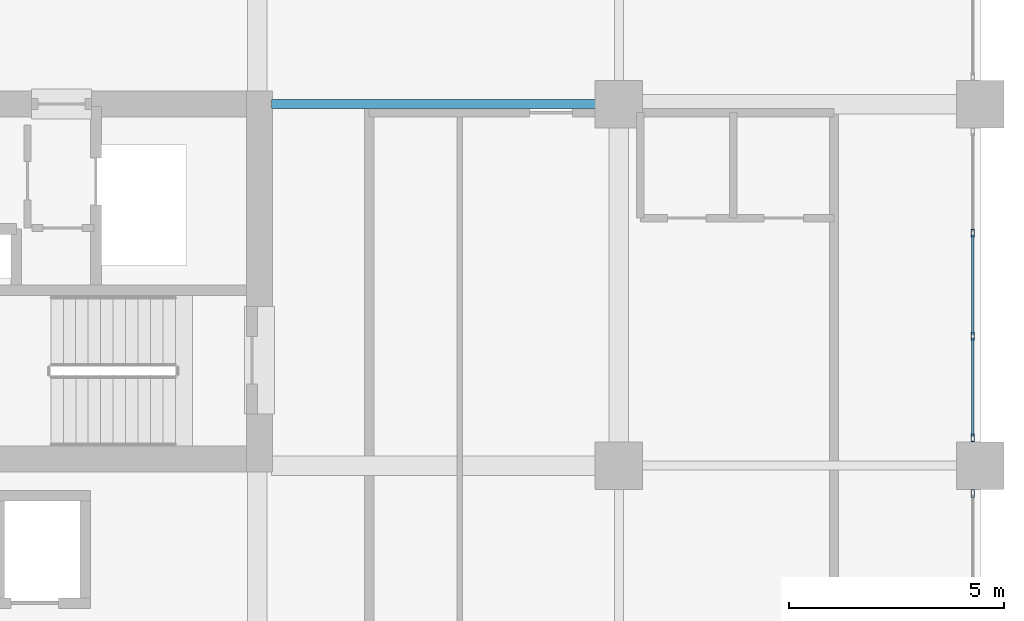
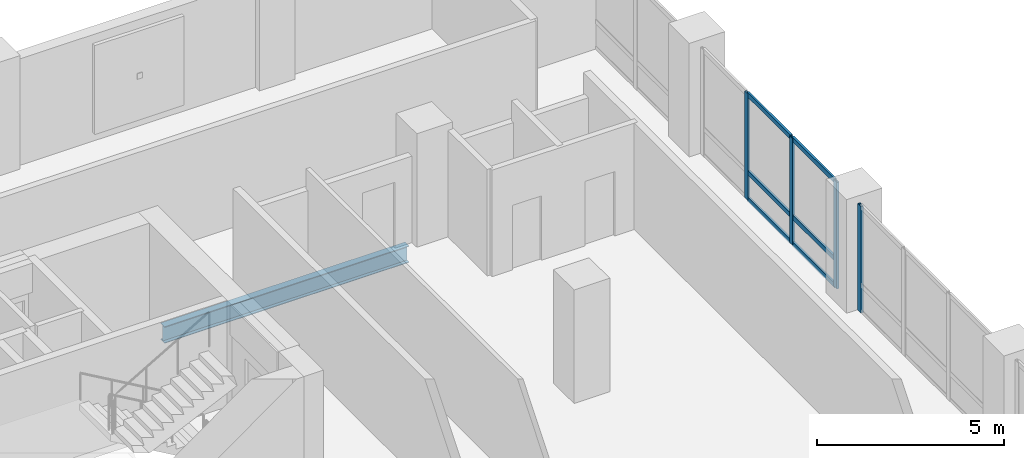
# One storey, part 6 of 20: 10 members, 1 beam, 2 elements without a shape of their own.
"""IFC4 building model written with IfcOpenShell, lengths in metres."""

from ifc_helpers import new_model, si_unit, direction, frame, origin, origin_2d, place, context, subcontext, project, spatial, hollow_rectangle, i_section, extrude, material, layer, layer_set, material_profile, profile_set, type_object, element, aggregate, save


model = new_model("IFC4")

# Units and contexts
model_context = context("Model", 3, precision=1e-05, world=origin(), true_north=direction((0.0, 1.0)))
body_context = subcontext(model_context, "Body", "Model", "MODEL_VIEW")
ifc_project = project(units=[si_unit("LENGTHUNIT", "METRE"), si_unit("AREAUNIT", "SQUARE_METRE"), si_unit("VOLUMEUNIT", "CUBIC_METRE"), si_unit("PLANEANGLEUNIT", "RADIAN"), si_unit("MASSUNIT", "GRAM", prefix="KILO")], contexts=[model_context])

# Site, building, storey
site_placement = place(None, origin())
site = spatial("IfcSite", under=ifc_project, at=site_placement, CompositionType="ELEMENT")
building_placement = place(site_placement, origin())
building = spatial("IfcBuilding", under=site, at=building_placement, Name="Koriwani Terraces Tower", CompositionType="ELEMENT")
storey_placement = place(building_placement, frame((0.0, 0.0, 212.39990234375)))
storey = spatial("IfcBuildingStorey", under=building, at=storey_placement, Name="L52", CompositionType="ELEMENT", Elevation=212.39990234375)

# Curtain wall, members
ifc_material_1 = material(Name="Anodised Bronze Aluminium", Category="aluminium")
ifc_layer = layer(ifc_material_1, 0.169921875, Name="Anodised Bronze Aluminium")
ifc_layer_set = layer_set([ifc_layer], Name="Anodised Bronze Aluminium")
curtain_wall_type = type_object("IfcCurtainWallType", Name="CW_RES_ZONE3", PredefinedType="NOTDEFINED", material=ifc_layer_set)
curtain_wall_1_placement = place(storey_placement, origin())
curtain_wall_1 = element("IfcCurtainWall", 1, at=curtain_wall_1_placement, inside=storey, type_object=curtain_wall_type, Name="L52 Unitised Curtain Wall (E_TIP) Bay 2", PredefinedType="NOTDEFINED")
ifc_material_profile_1 = material_profile(ifc_material_1, hollow_rectangle(XDim=0.074951171875, YDim=0.179931640625, WallThickness=0.006103515625, at=origin_2d()), Name="Anodised Bronze Aluminium", Category="LoadBearing")
ifc_profile_set_1 = profile_set([ifc_material_profile_1], Name="Anodised Bronze Aluminium")
member_type_1 = type_object("IfcMemberType", Name="CW_MULLION_180X75", PredefinedType="MULLION", material=ifc_profile_set_1)
member_1_placement = place(storey_placement, frame((75.425048828125, 22.19677734375, 0.0), z_axis=(0.0, 0.0, 1.0), x_axis=(1.0, 0.0, 0.0)))
member_1 = element("IfcMember", 2, at=member_1_placement, type_object=member_type_1, Name="CW-Z3 mullion 2", PredefinedType="MULLION", context=body_context, shape_type="SweptSolid", body=[
    extrude(hollow_rectangle(XDim=0.074951171875, YDim=0.179931640625, WallThickness=0.006103515625, at=origin_2d()), origin(), (0.0, 0.0, 1.0), 3.47021484375),
])
member_2_placement = place(storey_placement, frame((75.425048828125, 19.80322265625, 0.0), z_axis=(0.0, 0.0, 1.0), x_axis=(1.0, 0.0, 0.0)))
member_2 = element("IfcMember", 3, at=member_2_placement, type_object=member_type_1, Name="CW-Z3 mullion 3", PredefinedType="MULLION", context=body_context, shape_type="SweptSolid", body=[
    extrude(hollow_rectangle(XDim=0.074951171875, YDim=0.179931640625, WallThickness=0.006103515625, at=origin_2d()), origin(), (0.0, 0.0, 1.0), 3.47021484375),
])
member_3_placement = place(storey_placement, frame((75.425048828125, 17.447509765625, 0.0), z_axis=(0.0, 0.0, 1.0), x_axis=(1.0, 0.0, 0.0)))
member_3 = element("IfcMember", 4, at=member_3_placement, type_object=member_type_1, Name="CW-Z3 mullion 4", PredefinedType="MULLION", context=body_context, shape_type="SweptSolid", body=[
    extrude(hollow_rectangle(XDim=0.074951171875, YDim=0.179931640625, WallThickness=0.006103515625, at=origin_2d()), origin(), (0.0, 0.0, 1.0), 3.47021484375),
])

# Curtain wall, member
curtain_wall_2_placement = place(storey_placement, origin())
curtain_wall_2 = element("IfcCurtainWall", 5, at=curtain_wall_2_placement, inside=storey, type_object=curtain_wall_type, Name="L52 Unitised Curtain Wall (E_TIP) Bay 3", PredefinedType="NOTDEFINED")
member_4_placement = place(storey_placement, frame((75.425048828125, 16.152587890625, 0.0), z_axis=(0.0, 0.0, 1.0), x_axis=(1.0, 0.0, 0.0)))
member_4 = element("IfcMember", 6, at=member_4_placement, type_object=member_type_1, Name="CW-Z3 mullion 1", PredefinedType="MULLION", context=body_context, shape_type="SweptSolid", body=[
    extrude(hollow_rectangle(XDim=0.074951171875, YDim=0.179931640625, WallThickness=0.006103515625, at=origin_2d()), origin(), (0.0, 0.0, 1.0), 3.47021484375),
])
aggregate(curtain_wall_2, [member_4])

# Member
ifc_material_profile_2 = material_profile(ifc_material_1, hollow_rectangle(XDim=0.06494140625, YDim=0.14990234375, WallThickness=0.0048828125, at=origin_2d()), Name="Anodised Bronze Aluminium", Category="LoadBearing")
ifc_profile_set_2 = profile_set([ifc_material_profile_2], Name="Anodised Bronze Aluminium")
member_type_2 = type_object("IfcMemberType", Name="CW_TRANSOM_150X65", PredefinedType="USERDEFINED", material=ifc_profile_set_2)
member_5_placement = place(storey_placement, frame((75.425048828125, 22.1591796875, 0.03271484375), z_axis=(0.0, -1.0, 0.0), x_axis=(1.0, 0.0, 0.0)))
member_5 = element("IfcMember", 7, at=member_5_placement, type_object=member_type_2, Name="CW-Z3 transom 2.1", ObjectType="TRANSOM", PredefinedType="USERDEFINED", context=body_context, shape_type="SweptSolid", body=[
    extrude(hollow_rectangle(XDim=0.06494140625, YDim=0.14990234375, WallThickness=0.0048828125, at=origin_2d()), origin(), (0.0, 0.0, 1.0), 2.318359375),
])

member_6_placement = place(storey_placement, frame((75.425048828125, 22.1591796875, 0.900146484375), z_axis=(0.0, -1.0, 0.0), x_axis=(1.0, 0.0, 0.0)))
member_6 = element("IfcMember", 8, at=member_6_placement, type_object=member_type_2, Name="CW-Z3 transom 2.2", ObjectType="TRANSOM", PredefinedType="USERDEFINED", context=body_context, shape_type="SweptSolid", body=[
    extrude(hollow_rectangle(XDim=0.06494140625, YDim=0.14990234375, WallThickness=0.0048828125, at=origin_2d()), origin(), (0.0, 0.0, 1.0), 2.318359375),
])

member_7_placement = place(storey_placement, frame((75.425048828125, 22.1591796875, 3.4375), z_axis=(0.0, -1.0, 0.0), x_axis=(1.0, 0.0, 0.0)))
member_7 = element("IfcMember", 9, at=member_7_placement, type_object=member_type_2, Name="CW-Z3 transom 2.3", ObjectType="TRANSOM", PredefinedType="USERDEFINED", context=body_context, shape_type="SweptSolid", body=[
    extrude(hollow_rectangle(XDim=0.06494140625, YDim=0.14990234375, WallThickness=0.0048828125, at=origin_2d()), origin(), (0.0, 0.0, 1.0), 2.318359375),
])

member_8_placement = place(storey_placement, frame((75.425048828125, 19.765869140625, 0.03271484375), z_axis=(0.0, -1.0, 0.0), x_axis=(1.0, 0.0, 0.0)))
member_8 = element("IfcMember", 10, at=member_8_placement, type_object=member_type_2, Name="CW-Z3 transom 3.1", ObjectType="TRANSOM", PredefinedType="USERDEFINED", context=body_context, shape_type="SweptSolid", body=[
    extrude(hollow_rectangle(XDim=0.06494140625, YDim=0.14990234375, WallThickness=0.0048828125, at=origin_2d()), origin(), (0.0, 0.0, 1.0), 2.28076171875),
])

member_9_placement = place(storey_placement, frame((75.425048828125, 19.765869140625, 0.900146484375), z_axis=(0.0, -1.0, 0.0), x_axis=(1.0, 0.0, 0.0)))
member_9 = element("IfcMember", 11, at=member_9_placement, type_object=member_type_2, Name="CW-Z3 transom 3.2", ObjectType="TRANSOM", PredefinedType="USERDEFINED", context=body_context, shape_type="SweptSolid", body=[
    extrude(hollow_rectangle(XDim=0.06494140625, YDim=0.14990234375, WallThickness=0.0048828125, at=origin_2d()), origin(), (0.0, 0.0, 1.0), 2.28076171875),
])

member_10_placement = place(storey_placement, frame((75.425048828125, 19.765869140625, 3.4375), z_axis=(0.0, -1.0, 0.0), x_axis=(1.0, 0.0, 0.0)))
member_10 = element("IfcMember", 12, at=member_10_placement, type_object=member_type_2, Name="CW-Z3 transom 3.3", ObjectType="TRANSOM", PredefinedType="USERDEFINED", context=body_context, shape_type="SweptSolid", body=[
    extrude(hollow_rectangle(XDim=0.06494140625, YDim=0.14990234375, WallThickness=0.0048828125, at=origin_2d()), origin(), (0.0, 0.0, 1.0), 2.28076171875),
])

aggregate(curtain_wall_1, [member_1, member_2, member_3, member_5, member_6, member_7, member_8, member_9, member_10])

# Beam
ifc_material_2 = material(Name="Steel ASTM A572 Grade 50", Category="steel")
ifc_material_profile_3 = material_profile(ifc_material_2, i_section(OverallWidth=0.2119140625, OverallDepth=0.54296875, WebThickness=0.0126953125, FlangeThickness=0.021240234375, at=origin_2d()), Name="Steel ASTM A572 Grade 50", Category="LoadBearing")
ifc_profile_set_3 = profile_set([ifc_material_profile_3], Name="Steel ASTM A572 Grade 50")
beam_type = type_object("IfcBeamType", Name="STEEL_BEAM_W530X150", PredefinedType="BEAM", material=ifc_profile_set_3)
beam_placement = place(storey_placement, frame((59.1298828125, 25.199951171875, -0.50146484375), z_axis=(1.0, 0.0, 0.0), x_axis=(0.0, 1.0, 0.0)))
element("IfcBeam", 13, at=beam_placement, inside=storey, type_object=beam_type, Name="L52 Grid Beam D (58.8-67.2m)", PredefinedType="BEAM", context=body_context, shape_type="SweptSolid", body=[
    extrude(i_section(OverallWidth=0.2119140625, OverallDepth=0.54296875, WebThickness=0.0126953125, FlangeThickness=0.021240234375, at=origin_2d()), origin(), (0.0, 0.0, 1.0), 7.5400390625),
])

save(model, "model.ifc")
